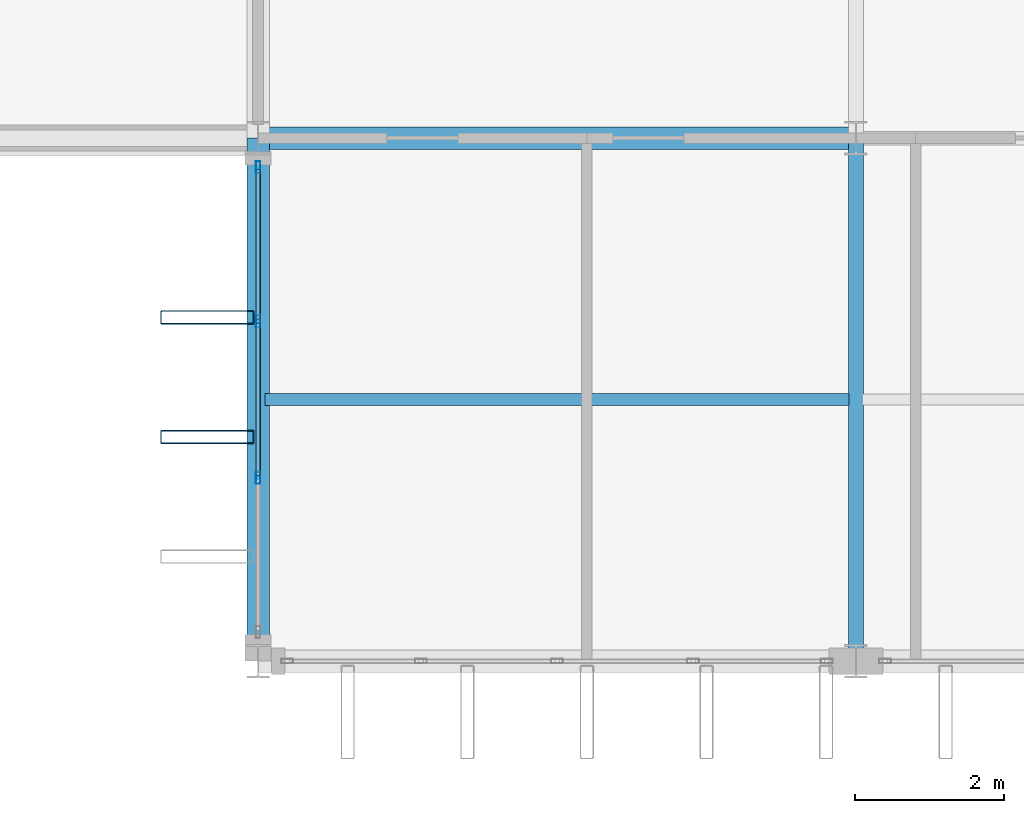
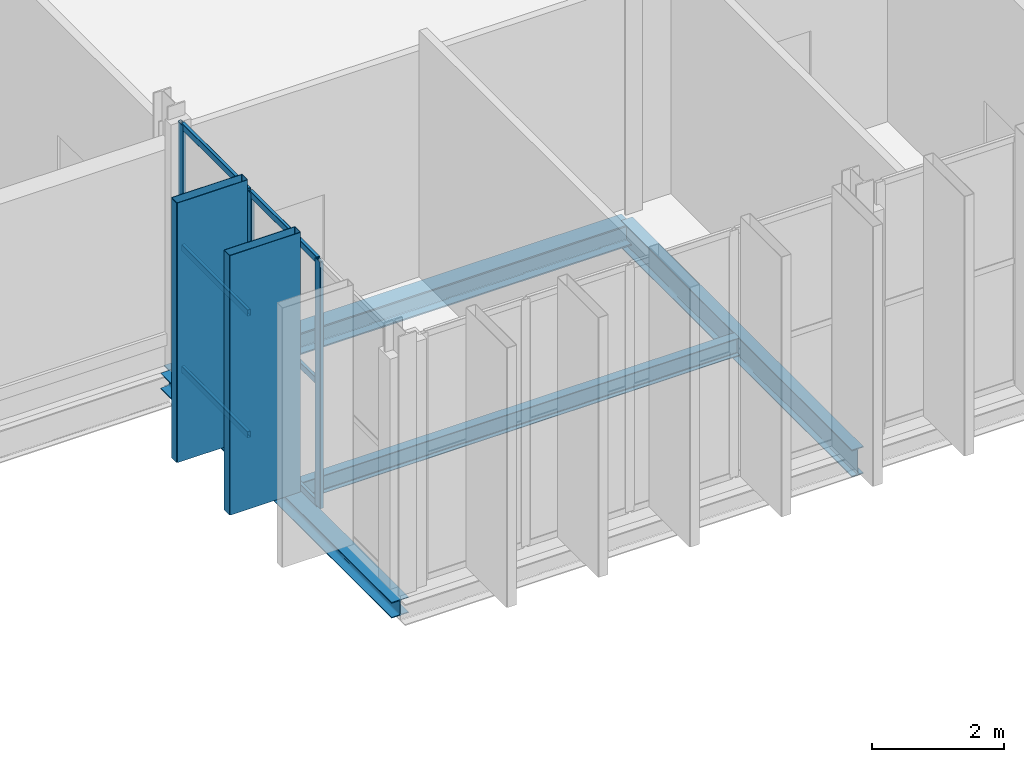
# One storey, part 26 of 120: 11 members, 4 beams, 1 element without a shape of its own.
"""IFC4 building model written with IfcOpenShell, lengths in metres."""

from ifc_helpers import new_model, si_unit, direction, frame, origin, origin_2d, place, context, subcontext, project, spatial, hollow_rectangle, i_section, extrude, material, layer, layer_set, material_profile, profile_set, type_object, element, aggregate, save


model = new_model("IFC4")

# Units and contexts
model_context = context("Model", 3, precision=1e-05, world=origin(), true_north=direction((0.0, 1.0)))
body_context = subcontext(model_context, "Body", "Model", "MODEL_VIEW")
ifc_project = project(units=[si_unit("LENGTHUNIT", "METRE"), si_unit("AREAUNIT", "SQUARE_METRE"), si_unit("VOLUMEUNIT", "CUBIC_METRE"), si_unit("PLANEANGLEUNIT", "RADIAN"), si_unit("MASSUNIT", "GRAM", prefix="KILO")], contexts=[model_context])

# Site, building, storey
site_placement = place(None, origin())
site = spatial("IfcSite", under=ifc_project, at=site_placement, CompositionType="ELEMENT")
building_placement = place(site_placement, origin())
building = spatial("IfcBuilding", under=site, at=building_placement, Name="Vekula Escarpment Museum", CompositionType="ELEMENT")
storey_placement = place(building_placement, frame((0.0, 0.0, 13.199951171875)))
storey = spatial("IfcBuildingStorey", under=building, at=storey_placement, Name="L03", CompositionType="ELEMENT", Elevation=13.199951171875)

# Beams
ifc_material_1 = material(Name="Steel S355", Category="steel")
ifc_material_profile_1 = material_profile(ifc_material_1, i_section(OverallWidth=0.300048828125, OverallDepth=0.39990234375, WebThickness=0.013427734375, FlangeThickness=0.02392578125, FilletRadius=0.027099609375, at=origin_2d()), Name="HEB 400")
ifc_profile_set_1 = profile_set([ifc_material_profile_1], Name="Steel S355")
beam_type_1 = type_object("IfcBeamType", Name="BM-GIRD-HEB400", PredefinedType="BEAM", material=ifc_profile_set_1)
beam_1_placement = place(storey_placement, frame((70.0, 52.60009765625, -0.449951171875), z_axis=(1.0, 0.0, 0.0), x_axis=(0.0, 1.0, 0.0)))
element("IfcBeam", 1, at=beam_1_placement, inside=storey, type_object=beam_type_1, Name="Beam X L03 1329", PredefinedType="BEAM", context=body_context, shape_type="SweptSolid", body=[
    extrude(i_section(OverallWidth=0.300048828125, OverallDepth=0.39990234375, WebThickness=0.013427734375, FlangeThickness=0.02392578125, FilletRadius=0.027099609375, at=origin_2d()), origin(), (0.0, 0.0, 1.0), 8.0),
])
ifc_material_2 = material(Name="Steel S355", Category="steel")
ifc_material_profile_2 = material_profile(ifc_material_2, i_section(OverallWidth=0.199951171875, OverallDepth=0.5, WebThickness=0.01025390625, FlangeThickness=0.01611328125, FilletRadius=0.02099609375, at=origin_2d()), Name="IPE 500")
ifc_profile_set_2 = profile_set([ifc_material_profile_2], Name="Steel S355")
beam_type_2 = type_object("IfcBeamType", Name="BM-GIRD-IPE500", PredefinedType="BEAM", material=ifc_profile_set_2)
beam_2_placement = place(storey_placement, frame((78.0, 45.60009765625, -0.5), z_axis=(0.0, 1.0, 0.0), x_axis=(-1.0, 0.0, 0.0)))
element("IfcBeam", 2, at=beam_2_placement, inside=storey, type_object=beam_type_2, Name="Beam Y L03 1565", PredefinedType="BEAM", context=body_context, shape_type="SweptSolid", body=[
    extrude(i_section(OverallWidth=0.199951171875, OverallDepth=0.5, WebThickness=0.01025390625, FlangeThickness=0.01611328125, FilletRadius=0.02099609375, at=origin_2d()), origin(), (0.0, 0.0, 1.0), 7.0),
])
ifc_material_3 = material(Name="Steel S355", Category="steel")
ifc_material_profile_3 = material_profile(ifc_material_3, i_section(OverallWidth=0.159912109375, OverallDepth=0.330078125, WebThickness=0.007568359375, FlangeThickness=0.011474609375, FilletRadius=0.01806640625, at=origin_2d()), Name="IPE 330")
ifc_profile_set_3 = profile_set([ifc_material_profile_3], Name="Steel S355")
beam_type_3 = type_object("IfcBeamType", Name="BM-JST-IPE330", PredefinedType="JOIST", material=ifc_profile_set_3)
beam_3_placement = place(storey_placement, frame((70.090087890625, 49.10009765625, -0.4150390625), z_axis=(1.0, 0.0, 0.0), x_axis=(0.0, 1.0, 0.0)))
element("IfcBeam", 3, at=beam_3_placement, inside=storey, type_object=beam_type_3, Name="Secondary Joist L03 0991", PredefinedType="JOIST", context=body_context, shape_type="SweptSolid", body=[
    extrude(i_section(OverallWidth=0.159912109375, OverallDepth=0.330078125, WebThickness=0.007568359375, FlangeThickness=0.011474609375, FilletRadius=0.01806640625, at=origin_2d()), origin(), (0.0, 0.0, 1.0), 7.81982421875),
])
ifc_material_4 = material(Name="Steel S355", Category="steel")
ifc_material_profile_4 = material_profile(ifc_material_4, i_section(OverallWidth=0.300048828125, OverallDepth=0.2900390625, WebThickness=0.008544921875, FlangeThickness=0.013916015625, FilletRadius=0.027099609375, at=origin_2d()), Name="HEA 300")
ifc_profile_set_4 = profile_set([ifc_material_profile_4], Name="Steel S355")
beam_type_4 = type_object("IfcBeamType", Name="BM-SPAN-HEA300", PredefinedType="SPANDREL", material=ifc_profile_set_4)
beam_4_placement = place(storey_placement, frame((70.0, 45.60009765625, -0.39501953125), z_axis=(0.0, 1.0, 0.0), x_axis=(-1.0, 0.0, 0.0)))
element("IfcBeam", 4, at=beam_4_placement, inside=storey, type_object=beam_type_4, Name="Beam Y L03 1557", PredefinedType="SPANDREL", context=body_context, shape_type="SweptSolid", body=[
    extrude(i_section(OverallWidth=0.300048828125, OverallDepth=0.2900390625, WebThickness=0.008544921875, FlangeThickness=0.013916015625, FilletRadius=0.027099609375, at=origin_2d()), origin(), (0.0, 0.0, 1.0), 7.0),
])

# Curtain wall, members
ifc_material_5 = material(Name="Aluminium thermally broken framing", Category="aluminium")
ifc_layer = layer(ifc_material_5, 0.169921875)
ifc_layer_set = layer_set([ifc_layer], Name="Aluminium thermally broken framing")
curtain_wall_type = type_object("IfcCurtainWallType", Name="CW-SYS-10", PredefinedType="NOTDEFINED", material=ifc_layer_set)
curtain_wall_placement = place(storey_placement, origin())
curtain_wall = element("IfcCurtainWall", 5, at=curtain_wall_placement, inside=storey, type_object=curtain_wall_type, Name="Curtain Wall CW-L03-100", PredefinedType="NOTDEFINED")
ifc_material_6 = material(Name="Aluminium anodized mullion", Category="aluminium")
ifc_material_profile_5 = material_profile(ifc_material_6, hollow_rectangle(XDim=0.06005859375, YDim=0.159912109375, WallThickness=0.00390625, InnerFilletRadius=0.00390625, OuterFilletRadius=0.008056640625, at=origin_2d()), Name="ALU 160x60x4")
ifc_profile_set_5 = profile_set([ifc_material_profile_5], Name="Aluminium anodized mullion")
member_type_1 = type_object("IfcMemberType", Name="CW-MUL-160", PredefinedType="MULLION", material=ifc_profile_set_5)
member_1_placement = place(storey_placement, frame((70.0, 52.2099609375, 0.0), z_axis=(0.0, 0.0, 1.0), x_axis=(1.0, 0.0, 0.0)))
member_1 = element("IfcMember", 6, at=member_1_placement, type_object=member_type_1, Name="CW-10 mullion 1", PredefinedType="MULLION", context=body_context, shape_type="SweptSolid", body=[
    extrude(hollow_rectangle(XDim=0.06005859375, YDim=0.159912109375, WallThickness=0.00390625, InnerFilletRadius=0.00390625, OuterFilletRadius=0.008056640625, at=origin_2d()), origin(), (0.0, 0.0, 1.0), 4.56005859375),
])
member_2_placement = place(storey_placement, frame((70.0, 50.146728515625, 0.0), z_axis=(0.0, 0.0, 1.0), x_axis=(1.0, 0.0, 0.0)))
member_2 = element("IfcMember", 7, at=member_2_placement, type_object=member_type_1, Name="CW-10 mullion 2", PredefinedType="MULLION", context=body_context, shape_type="SweptSolid", body=[
    extrude(hollow_rectangle(XDim=0.06005859375, YDim=0.159912109375, WallThickness=0.00390625, InnerFilletRadius=0.00390625, OuterFilletRadius=0.008056640625, at=origin_2d()), origin(), (0.0, 0.0, 1.0), 4.56005859375),
])
member_3_placement = place(storey_placement, frame((70.0, 48.05322265625, 0.0), z_axis=(0.0, 0.0, 1.0), x_axis=(1.0, 0.0, 0.0)))
member_3 = element("IfcMember", 8, at=member_3_placement, type_object=member_type_1, Name="CW-10 mullion 3", PredefinedType="MULLION", context=body_context, shape_type="SweptSolid", body=[
    extrude(hollow_rectangle(XDim=0.06005859375, YDim=0.159912109375, WallThickness=0.00390625, InnerFilletRadius=0.00390625, OuterFilletRadius=0.008056640625, at=origin_2d()), origin(), (0.0, 0.0, 1.0), 4.56005859375),
])
ifc_material_7 = material(Name="Aluminium anodized transom", Category="aluminium")
ifc_material_profile_6 = material_profile(ifc_material_7, hollow_rectangle(XDim=0.06005859375, YDim=0.1201171875, WallThickness=0.00390625, InnerFilletRadius=0.00390625, OuterFilletRadius=0.008056640625, at=origin_2d()), Name="ALU 120x60x4")
ifc_profile_set_6 = profile_set([ifc_material_profile_6], Name="Aluminium anodized transom")
member_type_2 = type_object("IfcMemberType", Name="CW-TRN-120", PredefinedType="USERDEFINED", material=ifc_profile_set_6)
member_4_placement = place(storey_placement, frame((70.0, 52.179931640625, 0.030029296875), z_axis=(0.0, -1.0, 0.0), x_axis=(1.0, 0.0, 0.0)))
member_4 = element("IfcMember", 9, at=member_4_placement, type_object=member_type_2, Name="CW-10 transom 1.1", ObjectType="TRANSOM", PredefinedType="USERDEFINED", context=body_context, shape_type="SweptSolid", body=[
    extrude(hollow_rectangle(XDim=0.06005859375, YDim=0.1201171875, WallThickness=0.00390625, InnerFilletRadius=0.00390625, OuterFilletRadius=0.008056640625, at=origin_2d()), origin(), (0.0, 0.0, 1.0), 2.003173828125),
])
member_5_placement = place(storey_placement, frame((70.0, 52.179931640625, 2.280029296875), z_axis=(0.0, -1.0, 0.0), x_axis=(1.0, 0.0, 0.0)))
member_5 = element("IfcMember", 10, at=member_5_placement, type_object=member_type_2, Name="CW-10 transom 1.2", ObjectType="TRANSOM", PredefinedType="USERDEFINED", context=body_context, shape_type="SweptSolid", body=[
    extrude(hollow_rectangle(XDim=0.06005859375, YDim=0.1201171875, WallThickness=0.00390625, InnerFilletRadius=0.00390625, OuterFilletRadius=0.008056640625, at=origin_2d()), origin(), (0.0, 0.0, 1.0), 2.003173828125),
])
member_6_placement = place(storey_placement, frame((70.0, 52.179931640625, 4.530029296875), z_axis=(0.0, -1.0, 0.0), x_axis=(1.0, 0.0, 0.0)))
member_6 = element("IfcMember", 11, at=member_6_placement, type_object=member_type_2, Name="CW-10 transom 1.3", ObjectType="TRANSOM", PredefinedType="USERDEFINED", context=body_context, shape_type="SweptSolid", body=[
    extrude(hollow_rectangle(XDim=0.06005859375, YDim=0.1201171875, WallThickness=0.00390625, InnerFilletRadius=0.00390625, OuterFilletRadius=0.008056640625, at=origin_2d()), origin(), (0.0, 0.0, 1.0), 2.003173828125),
])
member_7_placement = place(storey_placement, frame((70.0, 50.11669921875, 0.030029296875), z_axis=(0.0, -1.0, 0.0), x_axis=(1.0, 0.0, 0.0)))
member_7 = element("IfcMember", 12, at=member_7_placement, type_object=member_type_2, Name="CW-10 transom 2.1", ObjectType="TRANSOM", PredefinedType="USERDEFINED", context=body_context, shape_type="SweptSolid", body=[
    extrude(hollow_rectangle(XDim=0.06005859375, YDim=0.1201171875, WallThickness=0.00390625, InnerFilletRadius=0.00390625, OuterFilletRadius=0.008056640625, at=origin_2d()), origin(), (0.0, 0.0, 1.0), 2.033447265625),
])
member_8_placement = place(storey_placement, frame((70.0, 50.11669921875, 2.280029296875), z_axis=(0.0, -1.0, 0.0), x_axis=(1.0, 0.0, 0.0)))
member_8 = element("IfcMember", 13, at=member_8_placement, type_object=member_type_2, Name="CW-10 transom 2.2", ObjectType="TRANSOM", PredefinedType="USERDEFINED", context=body_context, shape_type="SweptSolid", body=[
    extrude(hollow_rectangle(XDim=0.06005859375, YDim=0.1201171875, WallThickness=0.00390625, InnerFilletRadius=0.00390625, OuterFilletRadius=0.008056640625, at=origin_2d()), origin(), (0.0, 0.0, 1.0), 2.033447265625),
])
member_9_placement = place(storey_placement, frame((70.0, 50.11669921875, 4.530029296875), z_axis=(0.0, -1.0, 0.0), x_axis=(1.0, 0.0, 0.0)))
member_9 = element("IfcMember", 14, at=member_9_placement, type_object=member_type_2, Name="CW-10 transom 2.3", ObjectType="TRANSOM", PredefinedType="USERDEFINED", context=body_context, shape_type="SweptSolid", body=[
    extrude(hollow_rectangle(XDim=0.06005859375, YDim=0.1201171875, WallThickness=0.00390625, InnerFilletRadius=0.00390625, OuterFilletRadius=0.008056640625, at=origin_2d()), origin(), (0.0, 0.0, 1.0), 2.033447265625),
])
aggregate(curtain_wall, [member_1, member_2, member_3, member_4, member_5, member_6, member_7, member_8, member_9])

# Members
ifc_material_8 = material(Name="Steel S355 weathered bronze solar fin", Category="steel")
ifc_material_profile_7 = material_profile(ifc_material_8, hollow_rectangle(XDim=0.179931640625, YDim=1.25, WallThickness=0.010009765625, InnerFilletRadius=0.010009765625, OuterFilletRadius=0.02001953125, at=origin_2d()), Name="RHS 1250x180x10")
ifc_profile_set_7 = profile_set([ifc_material_profile_7], Name="Steel S355 weathered bronze solar fin")
member_type_3 = type_object("IfcMemberType", Name="MB-SOLAR-FIN", PredefinedType="USERDEFINED", material=ifc_profile_set_7)
for number, where, z_axis, x_axis, name in (
    (15, (69.320068359375, 48.60009765625, 0.0), (0.0, 0.0, 1.0), (0.0, 1.0, 0.0), "Great Hall Vertical Solar Fin 0288"),
    (16, (69.320068359375, 50.199951171875, 0.0), (0.0, 0.0, 1.0), (0.0, 1.0, 0.0), "Great Hall Vertical Solar Fin 0293"),
):
    element("IfcMember", number, at=place(storey_placement, frame(where, z_axis=z_axis, x_axis=x_axis)), inside=storey, type_object=member_type_3, Name=name, ObjectType="SOLAR FIN", PredefinedType="USERDEFINED", context=body_context, shape_type="SweptSolid", body=[
        extrude(hollow_rectangle(XDim=0.179931640625, YDim=1.25, WallThickness=0.010009765625, InnerFilletRadius=0.010009765625, OuterFilletRadius=0.02001953125, at=origin_2d()), origin(), (0.0, 0.0, 1.0), 4.800048828125),
    ])

save(model, "model.ifc")
